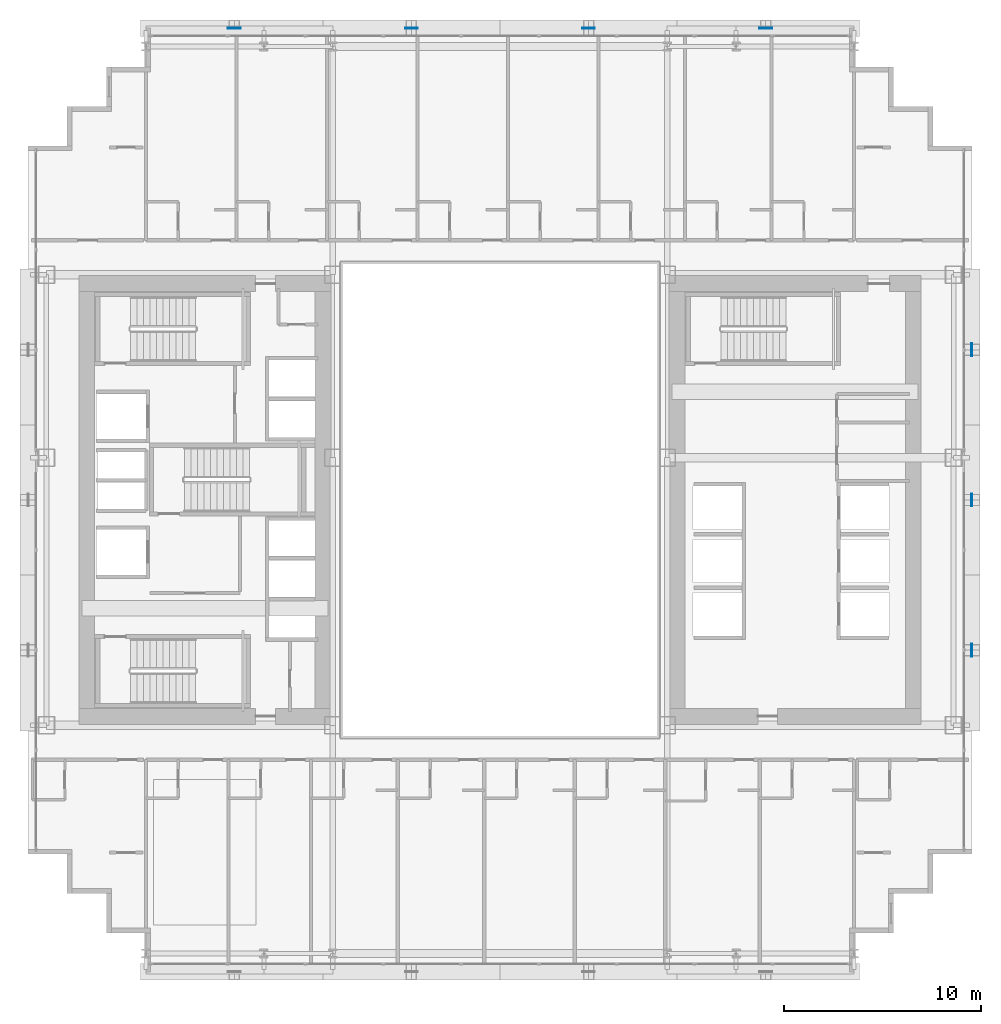
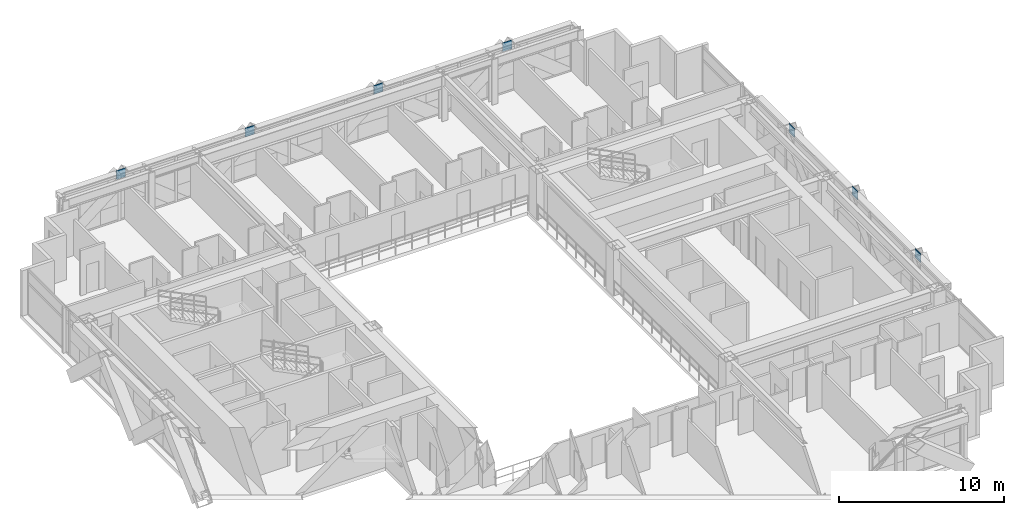
# One storey, part 26 of 36: 7 plates.
"""IFC4 building model written with IfcOpenShell, lengths in metres."""

from ifc_helpers import new_model, si_unit, direction, frame, origin, origin_2d, place, context, subcontext, project, spatial, rectangle, extrude, source, transform, mapped, material, layer, layer_set, type_object, element, save


model = new_model("IFC4")

# Units and contexts
model_context = context("Model", 3, precision=1e-05, world=origin(), true_north=direction((0.0, 1.0)))
body_context = subcontext(model_context, "Body", "Model", "MODEL_VIEW")
ifc_project = project(units=[si_unit("LENGTHUNIT", "METRE"), si_unit("AREAUNIT", "SQUARE_METRE"), si_unit("VOLUMEUNIT", "CUBIC_METRE"), si_unit("PLANEANGLEUNIT", "RADIAN"), si_unit("MASSUNIT", "GRAM", prefix="KILO")], contexts=[model_context])

# Site, building, storey
site_placement = place(None, origin())
site = spatial("IfcSite", under=ifc_project, at=site_placement, CompositionType="ELEMENT")
building_placement = place(site_placement, origin())
building = spatial("IfcBuilding", under=site, at=building_placement, Name="Ocotamira Hotel", CompositionType="ELEMENT")
storey_placement = place(building_placement, frame((0.0, 0.0, 42.0)))
storey = spatial("IfcBuildingStorey", under=building, at=storey_placement, Name="L09", CompositionType="ELEMENT", Elevation=42.0)

# Plates
ifc_material = material(Name="Pale-metal coated steel ASTM A572 Grade 50", Category="steel")
ifc_layer = layer(ifc_material, 0.0400390625)
ifc_layer_set = layer_set([ifc_layer], Name="Pale-metal coated steel ASTM A572 Grade 50")
plate_type = type_object("IfcPlateType", Name="PLT-GUSSET-40", PredefinedType="SHEET", material=ifc_layer_set)
shared_shape_1 = source(origin(), body_context, "Body", "SweptSolid", [
    extrude(rectangle(XDim=0.64990234375, YDim=0.0400390625, at=origin_2d()), origin(), (0.0, 0.0, 1.0), 0.64990234375),
])
for number, where, z_axis, x_axis, name in (
    (1, (18.5, 49.969970703125, 2.775146484375), (0.0, 0.0, 1.0), (1.0, 0.0, 0.0), "L09 Exoskeleton Diagrid N0.1 End Gusset B"),
    (2, (27.5, 49.969970703125, 2.775146484375), (0.0, 0.0, 1.0), (1.0, 0.0, 0.0), "L09 Exoskeleton Diagrid N1.1 End Gusset B"),
    (3, (36.5, 49.969970703125, 2.775146484375), (0.0, 0.0, 1.0), (1.0, 0.0, 0.0), "L09 Exoskeleton Diagrid N2.1 End Gusset B"),
    (4, (45.5, 49.969970703125, 2.775146484375), (0.0, 0.0, 1.0), (1.0, 0.0, 0.0), "L09 Exoskeleton Diagrid N3.1 End Gusset B"),
):
    element("IfcPlate", number, at=place(storey_placement, frame(where, z_axis=z_axis, x_axis=x_axis)), inside=storey, type_object=plate_type, Name=name, PredefinedType="SHEET", context=body_context, shape_type="MappedRepresentation", body=[
        mapped(shared_shape_1, transform((0.0, 0.0, 0.0), scale=1.0)),
    ])
shared_shape_2 = source(origin(), body_context, "Body", "SweptSolid", [
    extrude(rectangle(XDim=0.0400390625, YDim=0.64990234375, at=origin_2d()), origin(), (0.0, 0.0, 1.0), 0.64990234375),
])
for number, where, z_axis, x_axis, name in (
    (5, (55.969970703125, 18.36669921875, 2.775146484375), (0.0, 0.0, 1.0), (1.0, 0.0, 0.0), "L09 Exoskeleton Diagrid E0.1 End Gusset B"),
    (6, (55.969970703125, 26.0, 2.775146484375), (0.0, 0.0, 1.0), (1.0, 0.0, 0.0), "L09 Exoskeleton Diagrid E1.1 End Gusset B"),
    (7, (55.969970703125, 33.63330078125, 2.775146484375), (0.0, 0.0, 1.0), (1.0, 0.0, 0.0), "L09 Exoskeleton Diagrid E2.1 End Gusset B"),
):
    element("IfcPlate", number, at=place(storey_placement, frame(where, z_axis=z_axis, x_axis=x_axis)), inside=storey, type_object=plate_type, Name=name, PredefinedType="SHEET", context=body_context, shape_type="MappedRepresentation", body=[
        mapped(shared_shape_2, transform((0.0, 0.0, 0.0), scale=1.0)),
    ])

save(model, "model.ifc")
